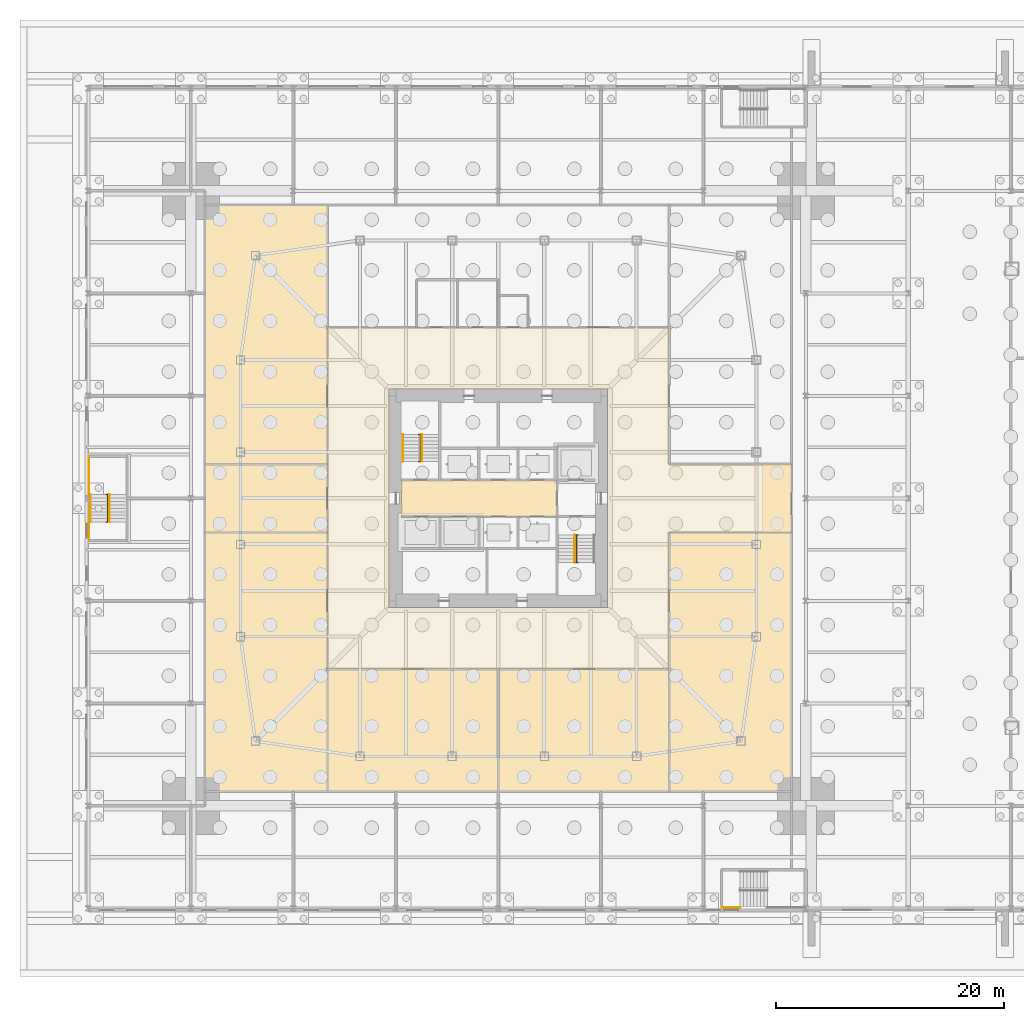
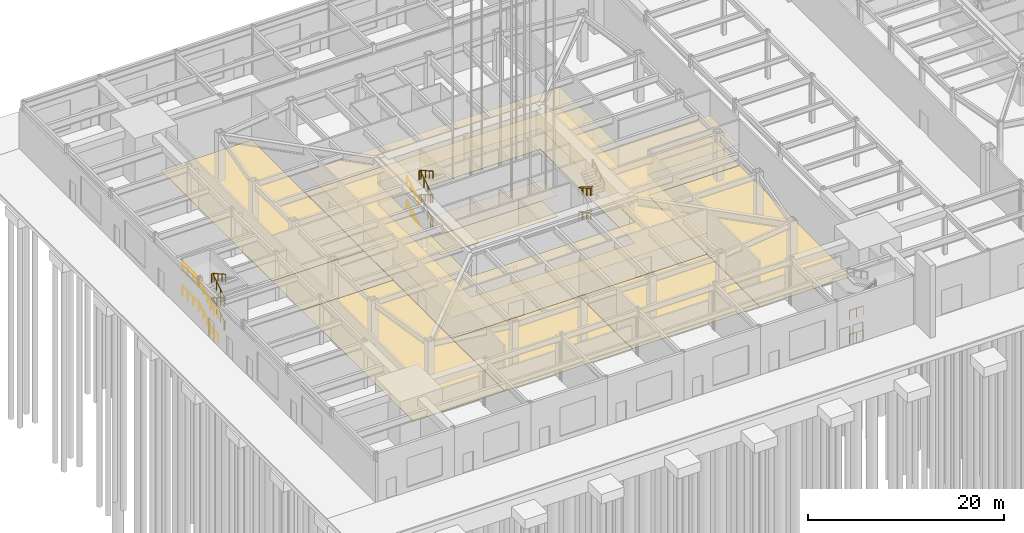
# One storey, part 33 of 37: 19 railings, 10 coverings.
"""IFC4 building model written with IfcOpenShell, lengths in metres."""

from ifc_helpers import new_model, si_unit, direction, frame, origin, origin_2d, place, context, subcontext, project, spatial, polyline, circle, outline, extrude, material, layer, layer_set, constituent, constituent_set, type_object, element, save


model = new_model("IFC4")

# Units and contexts
model_context = context("Model", 3, precision=1e-05, world=origin(), true_north=direction((0.0, 1.0)))
body_context = subcontext(model_context, "Body", "Model", "MODEL_VIEW")
ifc_project = project(units=[si_unit("LENGTHUNIT", "METRE"), si_unit("AREAUNIT", "SQUARE_METRE"), si_unit("VOLUMEUNIT", "CUBIC_METRE"), si_unit("PLANEANGLEUNIT", "RADIAN"), si_unit("MASSUNIT", "GRAM", prefix="KILO")], contexts=[model_context])

# Site, building, storey
site_placement = place(None, origin())
site = spatial("IfcSite", under=ifc_project, at=site_placement, CompositionType="ELEMENT")
building_placement = place(site_placement, origin())
building = spatial("IfcBuilding", under=site, at=building_placement, Name="Iwan Alto Co-Living Towers", CompositionType="ELEMENT")
storey_placement = place(building_placement, origin())
storey = spatial("IfcBuildingStorey", under=building, at=storey_placement, Name="L00", CompositionType="ELEMENT", Elevation=0.0)

# Coverings
ifc_material_1 = material(Name="Mineral fibre acoustic tiles on steel grid", Category="steel")
ifc_layer_1 = layer(ifc_material_1, 0.02001953125)
ifc_layer_set_1 = layer_set([ifc_layer_1], Name="ACOUSTIC TILE CEILING 20")
covering_type_1 = type_object("IfcCoveringType", Name="ACOUSTIC TILE CEILING 20", PredefinedType="CEILING", material=ifc_layer_set_1)
covering_1_placement = place(storey_placement, frame((0.0, 0.0, 2.60009765625)))
element("IfcCovering", 1, at=covering_1_placement, inside=storey, type_object=covering_type_1, Name="Ceiling Lift lobby L00", PredefinedType="CEILING", context=body_context, shape_type="SweptSolid", body=[
    extrude(outline(polyline([(-8.550048828125, -1.60009765625), (-8.550048828125, 1.60009765625), (5.14990234375, 1.60009765625), (5.14990234375, -1.60009765625), (-8.550048828125, -1.60009765625)])), origin(), (0.0, 0.0, 1.0), 0.02001953125),
])
covering_2_placement = place(storey_placement, frame((0.0, 0.0, 2.60009765625)))
element("IfcCovering", 2, at=covering_2_placement, inside=storey, type_object=covering_type_1, Name="Ceiling Residents' lobby and reception T1 L00", PredefinedType="CEILING", context=body_context, shape_type="SweptSolid", body=[
    extrude(outline(polyline([(15.0, -3.0), (15.0, -15.0), (0.0, -15.0), (-15.0, -15.0), (-15.0, -3.0), (-15.0, 3.0), (-15.0, 15.0), (-7.199951171875, 15.0), (-3.60009765625, 15.0), (0.0, 15.0), (2.60009765625, 15.0), (15.0, 15.0), (15.0, 3.0), (25.75, 3.0), (25.75, -3.0), (15.0, -3.0)]), holes=[polyline([(9.60009765625, -9.60009765625), (9.60009765625, 9.60009765625), (-9.60009765625, 9.60009765625), (-9.60009765625, -9.60009765625), (9.60009765625, -9.60009765625)])]), origin(), (0.0, 0.0, 1.0), 0.02001953125),
])

# Railings
ifc_material_2 = material(Name="Steel ASTM A500 Gr C", Category="steel")
ifc_constituent_1 = constituent(ifc_material_2, Name="Rails and posts", Category="Framing")
ifc_material_3 = material(Name="Steel ASTM A36", Category="steel")
ifc_constituent_2 = constituent(ifc_material_3, Name="Bar infill", Category="Infill")
ifc_constituent_set = constituent_set(constituents=[ifc_constituent_1, ifc_constituent_2], Name="STAIR GUARD 1100")
railing_type_1 = type_object("IfcRailingType", Name="STAIR GUARD 1100", PredefinedType="GUARDRAIL", material=ifc_constituent_set)
railing_1_placement = place(storey_placement, frame((-34.300048828125, -2.080078125, 0.0)))
element("IfcRailing", 3, at=railing_1_placement, inside=storey, type_object=railing_type_1, Name="Stair PS1 well guard L00", PredefinedType="GUARDRAIL", context=body_context, shape_type="SweptSolid", body=[
    extrude(circle(Radius=0.02392578125, at=origin_2d()), frame((0.0, 0.0, 1.076171875), z_axis=(0.0, 0.84801284173, 0.529975678933), x_axis=(-1.0, 0.0, 0.0)), (0.0, 0.0, 1.0), 2.830322265625),
    extrude(circle(Radius=0.02392578125, at=origin_2d()), frame((0.0, 2.400146484375, 2.576171875), z_axis=(0.0, -0.84801284173, 0.529975678933), x_axis=(1.0, 0.0, 0.0)), (0.0, 0.0, 1.0), 2.830322265625),
    extrude(circle(Radius=0.02392578125, at=origin_2d()), frame((0.0, 0.0, 4.076171875), z_axis=(0.0, 0.84801284173, 0.529975678933), x_axis=(-1.0, 0.0, 0.0)), (0.0, 0.0, 1.0), 2.830322265625),
    extrude(circle(Radius=0.02392578125, at=origin_2d()), frame((-0.14990234375, 0.0, 1.076171875), z_axis=(1.0, 0.0, 0.0), x_axis=(0.0, 1.0, 0.0)), (0.0, 0.0, 1.0), 0.300048828125),
    extrude(circle(Radius=0.02392578125, at=origin_2d()), frame((-0.14990234375, 2.400146484375, 2.576171875), z_axis=(1.0, 0.0, 0.0), x_axis=(0.0, 1.0, 0.0)), (0.0, 0.0, 1.0), 0.300048828125),
    extrude(circle(Radius=0.02392578125, at=origin_2d()), frame((-0.14990234375, 0.0, 4.076171875), z_axis=(1.0, 0.0, 0.0), x_axis=(0.0, 1.0, 0.0)), (0.0, 0.0, 1.0), 0.300048828125),
    extrude(circle(Radius=0.02392578125, at=origin_2d()), frame((-0.14990234375, 2.400146484375, 5.576171875), z_axis=(1.0, 0.0, 0.0), x_axis=(0.0, 1.0, 0.0)), (0.0, 0.0, 1.0), 0.300048828125),
    extrude(circle(Radius=0.02099609375, at=origin_2d()), origin(), (0.0, 0.0, 1.0), 1.052001953125),
    extrude(circle(Radius=0.02099609375, at=origin_2d()), frame((0.0, 0.800048828125, 0.5)), (0.0, 0.0, 1.0), 1.052001953125),
    extrude(circle(Radius=0.02099609375, at=origin_2d()), frame((0.0, 1.60009765625, 1.0)), (0.0, 0.0, 1.0), 1.052001953125),
    extrude(circle(Radius=0.02099609375, at=origin_2d()), frame((0.0, 2.400146484375, 1.5)), (0.0, 0.0, 1.0), 1.052001953125),
    extrude(circle(Radius=0.02099609375, at=origin_2d()), frame((0.0, 1.60009765625, 2.0)), (0.0, 0.0, 1.0), 1.052001953125),
    extrude(circle(Radius=0.02099609375, at=origin_2d()), frame((0.0, 0.800048828125, 2.5)), (0.0, 0.0, 1.0), 1.052001953125),
    extrude(circle(Radius=0.02099609375, at=origin_2d()), frame((0.0, 0.0, 3.0)), (0.0, 0.0, 1.0), 1.052001953125),
    extrude(circle(Radius=0.02099609375, at=origin_2d()), frame((0.0, 0.800048828125, 3.5)), (0.0, 0.0, 1.0), 1.052001953125),
    extrude(circle(Radius=0.02099609375, at=origin_2d()), frame((0.0, 1.60009765625, 4.0)), (0.0, 0.0, 1.0), 1.052001953125),
    extrude(circle(Radius=0.02099609375, at=origin_2d()), frame((0.0, 2.400146484375, 4.5)), (0.0, 0.0, 1.0), 1.052001953125),
    extrude(circle(Radius=0.02099609375, at=origin_2d()), frame((-0.14990234375, 0.0, 0.0)), (0.0, 0.0, 1.0), 1.052001953125),
    extrude(circle(Radius=0.02099609375, at=origin_2d()), frame((0.150146484375, 0.0, 0.0)), (0.0, 0.0, 1.0), 1.052001953125),
    extrude(circle(Radius=0.02099609375, at=origin_2d()), frame((-0.14990234375, 2.400146484375, 1.5)), (0.0, 0.0, 1.0), 1.052001953125),
    extrude(circle(Radius=0.02099609375, at=origin_2d()), frame((0.150146484375, 2.400146484375, 1.5)), (0.0, 0.0, 1.0), 1.052001953125),
    extrude(circle(Radius=0.02099609375, at=origin_2d()), frame((-0.14990234375, 0.0, 3.0)), (0.0, 0.0, 1.0), 1.052001953125),
    extrude(circle(Radius=0.02099609375, at=origin_2d()), frame((0.150146484375, 0.0, 3.0)), (0.0, 0.0, 1.0), 1.052001953125),
    extrude(circle(Radius=0.02099609375, at=origin_2d()), frame((-0.14990234375, 2.400146484375, 4.5)), (0.0, 0.0, 1.0), 1.052001953125),
    extrude(circle(Radius=0.02099609375, at=origin_2d()), frame((0.150146484375, 2.400146484375, 4.5)), (0.0, 0.0, 1.0), 1.052001953125),
])
railing_2_placement = place(storey_placement, frame((-35.93994140625, -3.64990234375, 0.0)))
element("IfcRailing", 4, at=railing_2_placement, inside=storey, type_object=railing_type_1, Name="Stair PS1 edge guard L00 1", PredefinedType="GUARDRAIL", context=body_context, shape_type="SweptSolid", body=[
    extrude(circle(Radius=0.02392578125, at=origin_2d()), frame((0.0, 0.0, 1.076171875), z_axis=(0.0, 1.0, 0.0), x_axis=(-1.0, 0.0, 0.0)), (0.0, 0.0, 1.0), 1.619873046875),
    extrude(circle(Radius=0.02099609375, at=origin_2d()), origin(), (0.0, 0.0, 1.0), 1.052001953125),
    extrude(circle(Radius=0.02099609375, at=origin_2d()), frame((0.0, 0.81005859375, 0.0)), (0.0, 0.0, 1.0), 1.052001953125),
    extrude(circle(Radius=0.02099609375, at=origin_2d()), frame((0.0, 1.619873046875, 0.0)), (0.0, 0.0, 1.0), 1.052001953125),
])
railing_3_placement = place(storey_placement, frame((-35.93994140625, 0.27001953125, 1.5)))
element("IfcRailing", 5, at=railing_3_placement, inside=storey, type_object=railing_type_1, Name="Stair PS1 edge guard L00 2", PredefinedType="GUARDRAIL", context=body_context, shape_type="SweptSolid", body=[
    extrude(circle(Radius=0.02392578125, at=origin_2d()), frame((0.0, 0.0, 1.076171875), z_axis=(0.0, 1.0, 0.0), x_axis=(-1.0, 0.0, 0.0)), (0.0, 0.0, 1.0), 3.3798828125),
    extrude(circle(Radius=0.02099609375, at=origin_2d()), origin(), (0.0, 0.0, 1.0), 1.052001953125),
    extrude(circle(Radius=0.02099609375, at=origin_2d()), frame((0.0, 1.126708984375, 0.0)), (0.0, 0.0, 1.0), 1.052001953125),
    extrude(circle(Radius=0.02099609375, at=origin_2d()), frame((0.0, 2.253173828125, 0.0)), (0.0, 0.0, 1.0), 1.052001953125),
    extrude(circle(Radius=0.02099609375, at=origin_2d()), frame((0.0, 3.3798828125, 0.0)), (0.0, 0.0, 1.0), 1.052001953125),
])
railing_4_placement = place(storey_placement, frame((-35.93994140625, -3.64990234375, 3.0)))
element("IfcRailing", 6, at=railing_4_placement, inside=storey, type_object=railing_type_1, Name="Stair PS1 edge guard L00 3", PredefinedType="GUARDRAIL", context=body_context, shape_type="SweptSolid", body=[
    extrude(circle(Radius=0.02392578125, at=origin_2d()), frame((0.0, 0.0, 1.076171875), z_axis=(0.0, 1.0, 0.0), x_axis=(-1.0, 0.0, 0.0)), (0.0, 0.0, 1.0), 1.619873046875),
    extrude(circle(Radius=0.02099609375, at=origin_2d()), origin(), (0.0, 0.0, 1.0), 1.052001953125),
    extrude(circle(Radius=0.02099609375, at=origin_2d()), frame((0.0, 0.81005859375, 0.0)), (0.0, 0.0, 1.0), 1.052001953125),
    extrude(circle(Radius=0.02099609375, at=origin_2d()), frame((0.0, 1.619873046875, 0.0)), (0.0, 0.0, 1.0), 1.052001953125),
])
railing_5_placement = place(storey_placement, frame((-35.93994140625, 0.27001953125, 4.5)))
element("IfcRailing", 7, at=railing_5_placement, inside=storey, type_object=railing_type_1, Name="Stair PS1 edge guard L00 4", PredefinedType="GUARDRAIL", context=body_context, shape_type="SweptSolid", body=[
    extrude(circle(Radius=0.02392578125, at=origin_2d()), frame((0.0, 0.0, 1.076171875), z_axis=(0.0, 1.0, 0.0), x_axis=(-1.0, 0.0, 0.0)), (0.0, 0.0, 1.0), 3.3798828125),
    extrude(circle(Radius=0.02099609375, at=origin_2d()), origin(), (0.0, 0.0, 1.0), 1.052001953125),
    extrude(circle(Radius=0.02099609375, at=origin_2d()), frame((0.0, 1.126708984375, 0.0)), (0.0, 0.0, 1.0), 1.052001953125),
    extrude(circle(Radius=0.02099609375, at=origin_2d()), frame((0.0, 2.253173828125, 0.0)), (0.0, 0.0, 1.0), 1.052001953125),
    extrude(circle(Radius=0.02099609375, at=origin_2d()), frame((0.0, 3.3798828125, 0.0)), (0.0, 0.0, 1.0), 1.052001953125),
])
for number, where, name in (
    (8, (19.64990234375, -35.93994140625, 0.0), "Stair PS4 edge guard L00 1"),
    (9, (19.64990234375, -35.93994140625, 3.0), "Stair PS4 edge guard L00 3"),
):
    element("IfcRailing", number, at=place(storey_placement, frame(where)), inside=storey, type_object=railing_type_1, Name=name, PredefinedType="GUARDRAIL", context=body_context, shape_type="SweptSolid", body=[
        extrude(circle(Radius=0.02392578125, at=origin_2d()), frame((0.0, 0.0, 1.076171875), z_axis=(1.0, 0.0, 0.0), x_axis=(0.0, 1.0, 0.0)), (0.0, 0.0, 1.0), 1.6201171875),
        extrude(circle(Radius=0.02099609375, at=origin_2d()), origin(), (0.0, 0.0, 1.0), 1.052001953125),
        extrude(circle(Radius=0.02099609375, at=origin_2d()), frame((0.81005859375, 0.0, 0.0)), (0.0, 0.0, 1.0), 1.052001953125),
        extrude(circle(Radius=0.02099609375, at=origin_2d()), frame((1.6201171875, 0.0, 0.0)), (0.0, 0.0, 1.0), 1.052001953125),
    ])
railing_6_placement = place(storey_placement, frame((-6.85009765625, 3.219970703125, 0.0)))
element("IfcRailing", 10, at=railing_6_placement, inside=storey, type_object=railing_type_1, Name="Stair T1-S1 well guard L00", PredefinedType="GUARDRAIL", context=body_context, shape_type="SweptSolid", body=[
    extrude(circle(Radius=0.02392578125, at=origin_2d()), frame((0.0, 0.0, 1.076171875), z_axis=(0.0, 0.84801284173, 0.529975678933), x_axis=(-1.0, 0.0, 0.0)), (0.0, 0.0, 1.0), 2.830322265625),
    extrude(circle(Radius=0.02392578125, at=origin_2d()), frame((0.0, 2.400146484375, 2.576171875), z_axis=(0.0, -0.84801284173, 0.529975678933), x_axis=(1.0, 0.0, 0.0)), (0.0, 0.0, 1.0), 2.830322265625),
    extrude(circle(Radius=0.02392578125, at=origin_2d()), frame((0.0, 0.0, 4.076171875), z_axis=(0.0, 0.84801284173, 0.529975678933), x_axis=(-1.0, 0.0, 0.0)), (0.0, 0.0, 1.0), 2.830322265625),
    extrude(circle(Radius=0.02392578125, at=origin_2d()), frame((-0.14990234375, 0.0, 1.076171875), z_axis=(1.0, 0.0, 0.0), x_axis=(0.0, 1.0, 0.0)), (0.0, 0.0, 1.0), 0.300048828125),
    extrude(circle(Radius=0.02392578125, at=origin_2d()), frame((-0.14990234375, 2.400146484375, 2.576171875), z_axis=(1.0, 0.0, 0.0), x_axis=(0.0, 1.0, 0.0)), (0.0, 0.0, 1.0), 0.300048828125),
    extrude(circle(Radius=0.02392578125, at=origin_2d()), frame((-0.14990234375, 0.0, 4.076171875), z_axis=(1.0, 0.0, 0.0), x_axis=(0.0, 1.0, 0.0)), (0.0, 0.0, 1.0), 0.300048828125),
    extrude(circle(Radius=0.02392578125, at=origin_2d()), frame((-0.14990234375, 2.400146484375, 5.576171875), z_axis=(1.0, 0.0, 0.0), x_axis=(0.0, 1.0, 0.0)), (0.0, 0.0, 1.0), 0.300048828125),
    extrude(circle(Radius=0.02099609375, at=origin_2d()), origin(), (0.0, 0.0, 1.0), 1.052001953125),
    extrude(circle(Radius=0.02099609375, at=origin_2d()), frame((0.0, 0.800048828125, 0.5)), (0.0, 0.0, 1.0), 1.052001953125),
    extrude(circle(Radius=0.02099609375, at=origin_2d()), frame((0.0, 1.60009765625, 1.0)), (0.0, 0.0, 1.0), 1.052001953125),
    extrude(circle(Radius=0.02099609375, at=origin_2d()), frame((0.0, 2.400146484375, 1.5)), (0.0, 0.0, 1.0), 1.052001953125),
    extrude(circle(Radius=0.02099609375, at=origin_2d()), frame((0.0, 1.60009765625, 2.0)), (0.0, 0.0, 1.0), 1.052001953125),
    extrude(circle(Radius=0.02099609375, at=origin_2d()), frame((0.0, 0.800048828125, 2.5)), (0.0, 0.0, 1.0), 1.052001953125),
    extrude(circle(Radius=0.02099609375, at=origin_2d()), frame((0.0, 0.0, 3.0)), (0.0, 0.0, 1.0), 1.052001953125),
    extrude(circle(Radius=0.02099609375, at=origin_2d()), frame((0.0, 0.800048828125, 3.5)), (0.0, 0.0, 1.0), 1.052001953125),
    extrude(circle(Radius=0.02099609375, at=origin_2d()), frame((0.0, 1.60009765625, 4.0)), (0.0, 0.0, 1.0), 1.052001953125),
    extrude(circle(Radius=0.02099609375, at=origin_2d()), frame((0.0, 2.400146484375, 4.5)), (0.0, 0.0, 1.0), 1.052001953125),
    extrude(circle(Radius=0.02099609375, at=origin_2d()), frame((-0.14990234375, 0.0, 0.0)), (0.0, 0.0, 1.0), 1.052001953125),
    extrude(circle(Radius=0.02099609375, at=origin_2d()), frame((0.150146484375, 0.0, 0.0)), (0.0, 0.0, 1.0), 1.052001953125),
    extrude(circle(Radius=0.02099609375, at=origin_2d()), frame((-0.14990234375, 2.400146484375, 1.5)), (0.0, 0.0, 1.0), 1.052001953125),
    extrude(circle(Radius=0.02099609375, at=origin_2d()), frame((0.150146484375, 2.400146484375, 1.5)), (0.0, 0.0, 1.0), 1.052001953125),
    extrude(circle(Radius=0.02099609375, at=origin_2d()), frame((-0.14990234375, 0.0, 3.0)), (0.0, 0.0, 1.0), 1.052001953125),
    extrude(circle(Radius=0.02099609375, at=origin_2d()), frame((0.150146484375, 0.0, 3.0)), (0.0, 0.0, 1.0), 1.052001953125),
    extrude(circle(Radius=0.02099609375, at=origin_2d()), frame((-0.14990234375, 2.400146484375, 4.5)), (0.0, 0.0, 1.0), 1.052001953125),
    extrude(circle(Radius=0.02099609375, at=origin_2d()), frame((0.150146484375, 2.400146484375, 4.5)), (0.0, 0.0, 1.0), 1.052001953125),
])
railing_7_placement = place(storey_placement, frame((6.85009765625, -3.219970703125, 0.0)))
element("IfcRailing", 11, at=railing_7_placement, inside=storey, type_object=railing_type_1, Name="Stair T1-S2 well guard L00", PredefinedType="GUARDRAIL", context=body_context, shape_type="SweptSolid", body=[
    extrude(circle(Radius=0.02392578125, at=origin_2d()), frame((0.0, 0.0, 1.076171875), z_axis=(0.0, -0.84801284173, 0.529975678933), x_axis=(1.0, 0.0, 0.0)), (0.0, 0.0, 1.0), 2.830322265625),
    extrude(circle(Radius=0.02392578125, at=origin_2d()), frame((0.0, -2.400146484375, 2.576171875), z_axis=(0.0, 0.84801284173, 0.529975678933), x_axis=(-1.0, 0.0, 0.0)), (0.0, 0.0, 1.0), 2.830322265625),
    extrude(circle(Radius=0.02392578125, at=origin_2d()), frame((0.0, 0.0, 4.076171875), z_axis=(0.0, -0.84801284173, 0.529975678933), x_axis=(1.0, 0.0, 0.0)), (0.0, 0.0, 1.0), 2.830322265625),
    extrude(circle(Radius=0.02392578125, at=origin_2d()), frame((-0.150146484375, 0.0, 1.076171875), z_axis=(1.0, 0.0, 0.0), x_axis=(0.0, 1.0, 0.0)), (0.0, 0.0, 1.0), 0.300048828125),
    extrude(circle(Radius=0.02392578125, at=origin_2d()), frame((-0.150146484375, -2.400146484375, 2.576171875), z_axis=(1.0, 0.0, 0.0), x_axis=(0.0, 1.0, 0.0)), (0.0, 0.0, 1.0), 0.300048828125),
    extrude(circle(Radius=0.02392578125, at=origin_2d()), frame((-0.150146484375, 0.0, 4.076171875), z_axis=(1.0, 0.0, 0.0), x_axis=(0.0, 1.0, 0.0)), (0.0, 0.0, 1.0), 0.300048828125),
    extrude(circle(Radius=0.02392578125, at=origin_2d()), frame((-0.150146484375, -2.400146484375, 5.576171875), z_axis=(1.0, 0.0, 0.0), x_axis=(0.0, 1.0, 0.0)), (0.0, 0.0, 1.0), 0.300048828125),
    extrude(circle(Radius=0.02099609375, at=origin_2d()), origin(), (0.0, 0.0, 1.0), 1.052001953125),
    extrude(circle(Radius=0.02099609375, at=origin_2d()), frame((0.0, -0.800048828125, 0.5)), (0.0, 0.0, 1.0), 1.052001953125),
    extrude(circle(Radius=0.02099609375, at=origin_2d()), frame((0.0, -1.60009765625, 1.0)), (0.0, 0.0, 1.0), 1.052001953125),
    extrude(circle(Radius=0.02099609375, at=origin_2d()), frame((0.0, -2.400146484375, 1.5)), (0.0, 0.0, 1.0), 1.052001953125),
    extrude(circle(Radius=0.02099609375, at=origin_2d()), frame((0.0, -1.60009765625, 2.0)), (0.0, 0.0, 1.0), 1.052001953125),
    extrude(circle(Radius=0.02099609375, at=origin_2d()), frame((0.0, -0.800048828125, 2.5)), (0.0, 0.0, 1.0), 1.052001953125),
    extrude(circle(Radius=0.02099609375, at=origin_2d()), frame((0.0, 0.0, 3.0)), (0.0, 0.0, 1.0), 1.052001953125),
    extrude(circle(Radius=0.02099609375, at=origin_2d()), frame((0.0, -0.800048828125, 3.5)), (0.0, 0.0, 1.0), 1.052001953125),
    extrude(circle(Radius=0.02099609375, at=origin_2d()), frame((0.0, -1.60009765625, 4.0)), (0.0, 0.0, 1.0), 1.052001953125),
    extrude(circle(Radius=0.02099609375, at=origin_2d()), frame((0.0, -2.400146484375, 4.5)), (0.0, 0.0, 1.0), 1.052001953125),
    extrude(circle(Radius=0.02099609375, at=origin_2d()), frame((-0.150146484375, 0.0, 0.0)), (0.0, 0.0, 1.0), 1.052001953125),
    extrude(circle(Radius=0.02099609375, at=origin_2d()), frame((0.14990234375, 0.0, 0.0)), (0.0, 0.0, 1.0), 1.052001953125),
    extrude(circle(Radius=0.02099609375, at=origin_2d()), frame((-0.150146484375, -2.400146484375, 1.5)), (0.0, 0.0, 1.0), 1.052001953125),
    extrude(circle(Radius=0.02099609375, at=origin_2d()), frame((0.14990234375, -2.400146484375, 1.5)), (0.0, 0.0, 1.0), 1.052001953125),
    extrude(circle(Radius=0.02099609375, at=origin_2d()), frame((-0.150146484375, 0.0, 3.0)), (0.0, 0.0, 1.0), 1.052001953125),
    extrude(circle(Radius=0.02099609375, at=origin_2d()), frame((0.14990234375, 0.0, 3.0)), (0.0, 0.0, 1.0), 1.052001953125),
    extrude(circle(Radius=0.02099609375, at=origin_2d()), frame((-0.150146484375, -2.400146484375, 4.5)), (0.0, 0.0, 1.0), 1.052001953125),
    extrude(circle(Radius=0.02099609375, at=origin_2d()), frame((0.14990234375, -2.400146484375, 4.5)), (0.0, 0.0, 1.0), 1.052001953125),
])
ifc_material_4 = material(Name="Steel ASTM A500 Gr C", Category="steel")
railing_type_2 = type_object("IfcRailingType", Name="STAIR HANDRAIL 900", PredefinedType="HANDRAIL", material=ifc_material_4)
railing_8_placement = place(storey_placement, frame((-35.830078125, -2.080078125, 0.166748046875)))
element("IfcRailing", 12, at=railing_8_placement, inside=storey, type_object=railing_type_2, Name="Stair PS1 handrail 1 L00", PredefinedType="HANDRAIL", context=body_context, shape_type="SweptSolid", body=[
    extrude(circle(Radius=0.02392578125, at=origin_2d()), frame((0.0, 0.0, 0.8759765625), z_axis=(0.0, 0.874182441271, 0.485597631145), x_axis=(-1.0, 0.0, 0.0)), (0.0, 0.0, 1.0), 2.74560546875),
    extrude(circle(Radius=0.02099609375, at=origin_2d()), origin(), (0.0, 0.0, 1.0), 0.851806640625),
    extrude(circle(Radius=0.02099609375, at=origin_2d()), frame((0.0, 0.800048828125, 0.4443359375)), (0.0, 0.0, 1.0), 0.851806640625),
    extrude(circle(Radius=0.02099609375, at=origin_2d()), frame((0.0, 1.60009765625, 0.888916015625)), (0.0, 0.0, 1.0), 0.851806640625),
    extrude(circle(Radius=0.02099609375, at=origin_2d()), frame((0.0, 2.400146484375, 1.333251953125)), (0.0, 0.0, 1.0), 0.851806640625),
])
railing_9_placement = place(storey_placement, frame((-34.14990234375, 0.320068359375, 1.666748046875)))
element("IfcRailing", 13, at=railing_9_placement, inside=storey, type_object=railing_type_2, Name="Stair PS1 handrail 2 L00", PredefinedType="HANDRAIL", context=body_context, shape_type="SweptSolid", body=[
    extrude(circle(Radius=0.02392578125, at=origin_2d()), frame((0.0, 0.0, 0.8759765625), z_axis=(0.0, -0.874182441271, 0.485597631145), x_axis=(1.0, 0.0, 0.0)), (0.0, 0.0, 1.0), 2.74560546875),
    extrude(circle(Radius=0.02099609375, at=origin_2d()), origin(), (0.0, 0.0, 1.0), 0.851806640625),
    extrude(circle(Radius=0.02099609375, at=origin_2d()), frame((0.0, -0.800048828125, 0.4443359375)), (0.0, 0.0, 1.0), 0.851806640625),
    extrude(circle(Radius=0.02099609375, at=origin_2d()), frame((0.0, -1.60009765625, 0.888916015625)), (0.0, 0.0, 1.0), 0.851806640625),
    extrude(circle(Radius=0.02099609375, at=origin_2d()), frame((0.0, -2.400146484375, 1.333251953125)), (0.0, 0.0, 1.0), 0.851806640625),
])
railing_10_placement = place(storey_placement, frame((-35.830078125, -2.080078125, 3.166748046875)))
element("IfcRailing", 14, at=railing_10_placement, inside=storey, type_object=railing_type_2, Name="Stair PS1 handrail 3 L00", PredefinedType="HANDRAIL", context=body_context, shape_type="SweptSolid", body=[
    extrude(circle(Radius=0.02392578125, at=origin_2d()), frame((0.0, 0.0, 0.8759765625), z_axis=(0.0, 0.874182441271, 0.485597631145), x_axis=(-1.0, 0.0, 0.0)), (0.0, 0.0, 1.0), 2.74560546875),
    extrude(circle(Radius=0.02099609375, at=origin_2d()), origin(), (0.0, 0.0, 1.0), 0.851806640625),
    extrude(circle(Radius=0.02099609375, at=origin_2d()), frame((0.0, 0.800048828125, 0.4443359375)), (0.0, 0.0, 1.0), 0.851806640625),
    extrude(circle(Radius=0.02099609375, at=origin_2d()), frame((0.0, 1.60009765625, 0.888916015625)), (0.0, 0.0, 1.0), 0.851806640625),
    extrude(circle(Radius=0.02099609375, at=origin_2d()), frame((0.0, 2.400146484375, 1.333251953125)), (0.0, 0.0, 1.0), 0.851806640625),
])
railing_11_placement = place(storey_placement, frame((-34.14990234375, 0.320068359375, 4.666748046875)))
element("IfcRailing", 15, at=railing_11_placement, inside=storey, type_object=railing_type_2, Name="Stair PS1 handrail 4 L00", PredefinedType="HANDRAIL", context=body_context, shape_type="SweptSolid", body=[
    extrude(circle(Radius=0.02392578125, at=origin_2d()), frame((0.0, 0.0, 0.8759765625), z_axis=(0.0, -0.874182441271, 0.485597631145), x_axis=(1.0, 0.0, 0.0)), (0.0, 0.0, 1.0), 2.74560546875),
    extrude(circle(Radius=0.02099609375, at=origin_2d()), origin(), (0.0, 0.0, 1.0), 0.851806640625),
    extrude(circle(Radius=0.02099609375, at=origin_2d()), frame((0.0, -0.800048828125, 0.4443359375)), (0.0, 0.0, 1.0), 0.851806640625),
    extrude(circle(Radius=0.02099609375, at=origin_2d()), frame((0.0, -1.60009765625, 0.888916015625)), (0.0, 0.0, 1.0), 0.851806640625),
    extrude(circle(Radius=0.02099609375, at=origin_2d()), frame((0.0, -2.400146484375, 1.333251953125)), (0.0, 0.0, 1.0), 0.851806640625),
])
railing_12_placement = place(storey_placement, frame((-8.3798828125, 3.219970703125, 0.166748046875)))
element("IfcRailing", 16, at=railing_12_placement, inside=storey, type_object=railing_type_2, Name="Stair T1-S1 handrail 1 L00", PredefinedType="HANDRAIL", context=body_context, shape_type="SweptSolid", body=[
    extrude(circle(Radius=0.02392578125, at=origin_2d()), frame((0.0, 0.0, 0.8759765625), z_axis=(0.0, 0.874182441271, 0.485597631145), x_axis=(-1.0, 0.0, 0.0)), (0.0, 0.0, 1.0), 2.74560546875),
    extrude(circle(Radius=0.02099609375, at=origin_2d()), origin(), (0.0, 0.0, 1.0), 0.851806640625),
    extrude(circle(Radius=0.02099609375, at=origin_2d()), frame((0.0, 0.800048828125, 0.4443359375)), (0.0, 0.0, 1.0), 0.851806640625),
    extrude(circle(Radius=0.02099609375, at=origin_2d()), frame((0.0, 1.60009765625, 0.888916015625)), (0.0, 0.0, 1.0), 0.851806640625),
    extrude(circle(Radius=0.02099609375, at=origin_2d()), frame((0.0, 2.400146484375, 1.333251953125)), (0.0, 0.0, 1.0), 0.851806640625),
])
railing_13_placement = place(storey_placement, frame((-6.699951171875, 5.6201171875, 1.666748046875)))
element("IfcRailing", 17, at=railing_13_placement, inside=storey, type_object=railing_type_2, Name="Stair T1-S1 handrail 2 L00", PredefinedType="HANDRAIL", context=body_context, shape_type="SweptSolid", body=[
    extrude(circle(Radius=0.02392578125, at=origin_2d()), frame((0.0, 0.0, 0.8759765625), z_axis=(0.0, -0.874182441271, 0.485597631145), x_axis=(1.0, 0.0, 0.0)), (0.0, 0.0, 1.0), 2.74560546875),
    extrude(circle(Radius=0.02099609375, at=origin_2d()), origin(), (0.0, 0.0, 1.0), 0.851806640625),
    extrude(circle(Radius=0.02099609375, at=origin_2d()), frame((0.0, -0.800048828125, 0.4443359375)), (0.0, 0.0, 1.0), 0.851806640625),
    extrude(circle(Radius=0.02099609375, at=origin_2d()), frame((0.0, -1.60009765625, 0.888916015625)), (0.0, 0.0, 1.0), 0.851806640625),
    extrude(circle(Radius=0.02099609375, at=origin_2d()), frame((0.0, -2.400146484375, 1.333251953125)), (0.0, 0.0, 1.0), 0.851806640625),
])
railing_14_placement = place(storey_placement, frame((-8.3798828125, 3.219970703125, 3.166748046875)))
element("IfcRailing", 18, at=railing_14_placement, inside=storey, type_object=railing_type_2, Name="Stair T1-S1 handrail 3 L00", PredefinedType="HANDRAIL", context=body_context, shape_type="SweptSolid", body=[
    extrude(circle(Radius=0.02392578125, at=origin_2d()), frame((0.0, 0.0, 0.8759765625), z_axis=(0.0, 0.874182441271, 0.485597631145), x_axis=(-1.0, 0.0, 0.0)), (0.0, 0.0, 1.0), 2.74560546875),
    extrude(circle(Radius=0.02099609375, at=origin_2d()), origin(), (0.0, 0.0, 1.0), 0.851806640625),
    extrude(circle(Radius=0.02099609375, at=origin_2d()), frame((0.0, 0.800048828125, 0.4443359375)), (0.0, 0.0, 1.0), 0.851806640625),
    extrude(circle(Radius=0.02099609375, at=origin_2d()), frame((0.0, 1.60009765625, 0.888916015625)), (0.0, 0.0, 1.0), 0.851806640625),
    extrude(circle(Radius=0.02099609375, at=origin_2d()), frame((0.0, 2.400146484375, 1.333251953125)), (0.0, 0.0, 1.0), 0.851806640625),
])
for number, where, name in (
    (19, (-6.699951171875, 5.6201171875, 4.666748046875), "Stair T1-S1 handrail 4 L00"),
    (20, (6.699951171875, -3.219970703125, 0.166748046875), "Stair T1-S2 handrail 1 L00"),
    (21, (6.699951171875, -3.219970703125, 3.166748046875), "Stair T1-S2 handrail 3 L00"),
):
    element("IfcRailing", number, at=place(storey_placement, frame(where)), inside=storey, type_object=railing_type_2, Name=name, PredefinedType="HANDRAIL", context=body_context, shape_type="SweptSolid", body=[
        extrude(circle(Radius=0.02392578125, at=origin_2d()), frame((0.0, 0.0, 0.8759765625), z_axis=(0.0, -0.874182441271, 0.485597631145), x_axis=(1.0, 0.0, 0.0)), (0.0, 0.0, 1.0), 2.74560546875),
        extrude(circle(Radius=0.02099609375, at=origin_2d()), origin(), (0.0, 0.0, 1.0), 0.851806640625),
        extrude(circle(Radius=0.02099609375, at=origin_2d()), frame((0.0, -0.800048828125, 0.4443359375)), (0.0, 0.0, 1.0), 0.851806640625),
        extrude(circle(Radius=0.02099609375, at=origin_2d()), frame((0.0, -1.60009765625, 0.888916015625)), (0.0, 0.0, 1.0), 0.851806640625),
        extrude(circle(Radius=0.02099609375, at=origin_2d()), frame((0.0, -2.400146484375, 1.333251953125)), (0.0, 0.0, 1.0), 0.851806640625),
    ])

# Coverings
ifc_material_5 = material(Name="Bronze-strip terrazzo")
ifc_layer_2 = layer(ifc_material_5, 0.030029296875)
ifc_layer_set_2 = layer_set([ifc_layer_2], Name="TERRAZZO FLOOR FINISH 30")
covering_type_2 = type_object("IfcCoveringType", Name="TERRAZZO FLOOR FINISH 30", PredefinedType="FLOORING", material=ifc_layer_set_2)
covering_3_placement = place(storey_placement, origin())
element("IfcCovering", 22, at=covering_3_placement, inside=storey, type_object=covering_type_2, Name="Floor finish Lift lobby L00", PredefinedType="FLOORING", context=body_context, shape_type="SweptSolid", body=[
    extrude(outline(polyline([(-8.550048828125, -1.60009765625), (-8.550048828125, 1.60009765625), (5.14990234375, 1.60009765625), (5.14990234375, -1.60009765625), (-8.550048828125, -1.60009765625)])), origin(), (0.0, 0.0, 1.0), 0.030029296875),
])
covering_4_placement = place(storey_placement, origin())
element("IfcCovering", 23, at=covering_4_placement, inside=storey, type_object=covering_type_2, Name="Floor finish Residents' lobby and reception T1 L00", PredefinedType="FLOORING", context=body_context, shape_type="SweptSolid", body=[
    extrude(outline(polyline([(15.0, -3.0), (15.0, -15.0), (0.0, -15.0), (-15.0, -15.0), (-15.0, -3.0), (-15.0, 3.0), (-15.0, 15.0), (-7.199951171875, 15.0), (-3.60009765625, 15.0), (0.0, 15.0), (2.60009765625, 15.0), (15.0, 15.0), (15.0, 3.0), (25.75, 3.0), (25.75, -3.0), (15.0, -3.0)]), holes=[polyline([(9.60009765625, -9.60009765625), (9.60009765625, 9.60009765625), (-9.60009765625, 9.60009765625), (-9.60009765625, -9.60009765625), (9.60009765625, -9.60009765625)])]), origin(), (0.0, 0.0, 1.0), 0.030029296875),
])
ifc_material_6 = material(Name="Engineered oak boards")
ifc_layer_3 = layer(ifc_material_6, 0.02001953125)
ifc_layer_set_3 = layer_set([ifc_layer_3], Name="TIMBER FLOOR FINISH 20")
covering_type_3 = type_object("IfcCoveringType", Name="TIMBER FLOOR FINISH 20", PredefinedType="FLOORING", material=ifc_layer_set_3)
covering_5_placement = place(storey_placement, origin())
element("IfcCovering", 24, at=covering_5_placement, inside=storey, type_object=covering_type_3, Name="Floor finish Event room L00", PredefinedType="FLOORING", context=body_context, shape_type="SweptSolid", body=[
    extrude(outline(polyline([(25.75, -3.0), (25.75, -25.75), (18.0, -25.75), (15.0, -25.75), (15.0, -3.0), (25.75, -3.0)])), origin(), (0.0, 0.0, 1.0), 0.02001953125),
])
covering_6_placement = place(storey_placement, origin())
element("IfcCovering", 25, at=covering_6_placement, inside=storey, type_object=covering_type_3, Name="Floor finish Games room L00", PredefinedType="FLOORING", context=body_context, shape_type="SweptSolid", body=[
    extrude(outline(polyline([(-25.75, 3.0), (-25.75, 9.0), (-25.75, 18.0), (-25.75, 25.75), (-18.0, 25.75), (-15.0, 25.75), (-15.0, 15.0), (-15.0, 3.0), (-25.75, 3.0)])), origin(), (0.0, 0.0, 1.0), 0.02001953125),
])
covering_7_placement = place(storey_placement, origin())
element("IfcCovering", 26, at=covering_7_placement, inside=storey, type_object=covering_type_3, Name="Floor finish Security office L00", PredefinedType="FLOORING", context=body_context, shape_type="SweptSolid", body=[
    extrude(outline(polyline([(-25.75, -3.0), (-25.75, 0.0), (-25.75, 3.0), (-15.0, 3.0), (-15.0, -3.0), (-25.75, -3.0)])), origin(), (0.0, 0.0, 1.0), 0.02001953125),
])
covering_8_placement = place(storey_placement, origin())
element("IfcCovering", 27, at=covering_8_placement, inside=storey, type_object=covering_type_3, Name="Floor finish Bike workshop L00", PredefinedType="FLOORING", context=body_context, shape_type="SweptSolid", body=[
    extrude(outline(polyline([(-18.0, -25.75), (-25.75, -25.75), (-25.75, -18.0), (-25.75, -9.0), (-25.75, -3.0), (-15.0, -3.0), (-15.0, -25.75), (-18.0, -25.75)])), origin(), (0.0, 0.0, 1.0), 0.02001953125),
])
covering_9_placement = place(storey_placement, origin())
element("IfcCovering", 28, at=covering_9_placement, inside=storey, type_object=covering_type_3, Name="Floor finish Leasing and management office L00", PredefinedType="FLOORING", context=body_context, shape_type="SweptSolid", body=[
    extrude(outline(polyline([(0.0, -25.75), (-9.0, -25.75), (-15.0, -25.75), (-15.0, -15.0), (0.0, -15.0), (0.0, -25.75)])), origin(), (0.0, 0.0, 1.0), 0.02001953125),
])
covering_10_placement = place(storey_placement, origin())
element("IfcCovering", 29, at=covering_10_placement, inside=storey, type_object=covering_type_3, Name="Floor finish Mail and parcel room L00", PredefinedType="FLOORING", context=body_context, shape_type="SweptSolid", body=[
    extrude(outline(polyline([(9.0, -25.75), (0.0, -25.75), (0.0, -15.0), (15.0, -15.0), (15.0, -25.75), (9.0, -25.75)])), origin(), (0.0, 0.0, 1.0), 0.02001953125),
])

save(model, "model.ifc")
